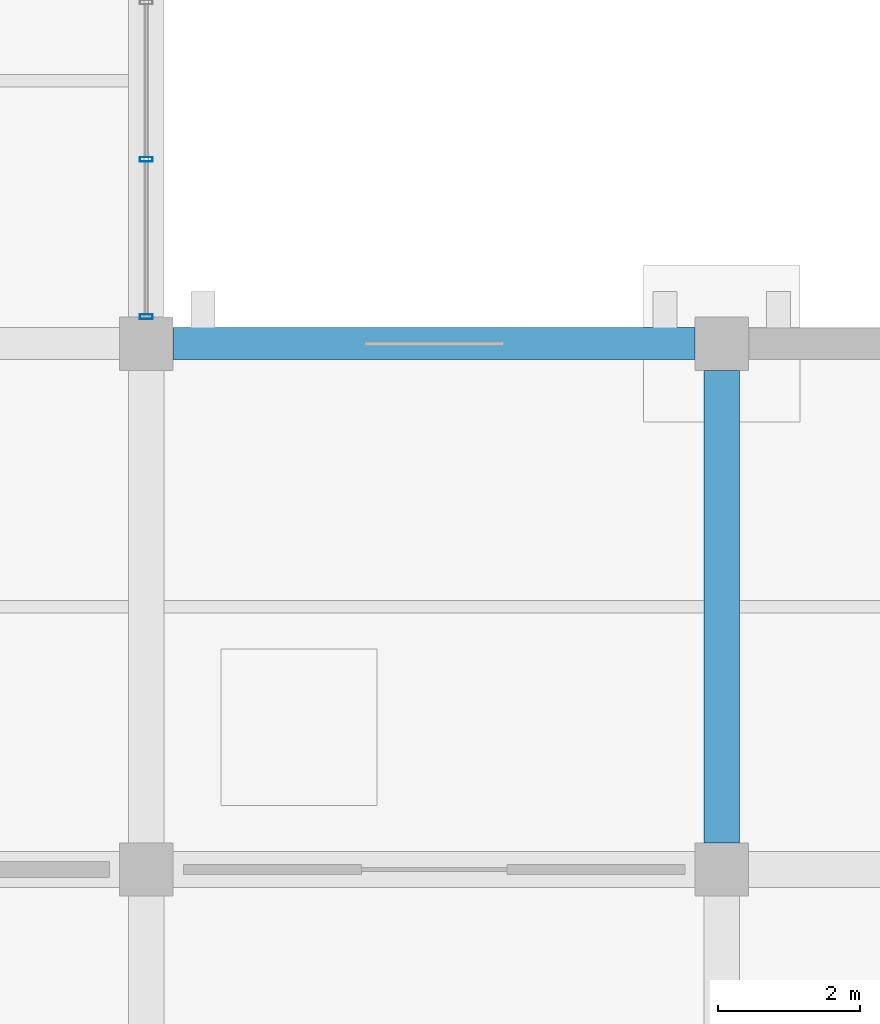
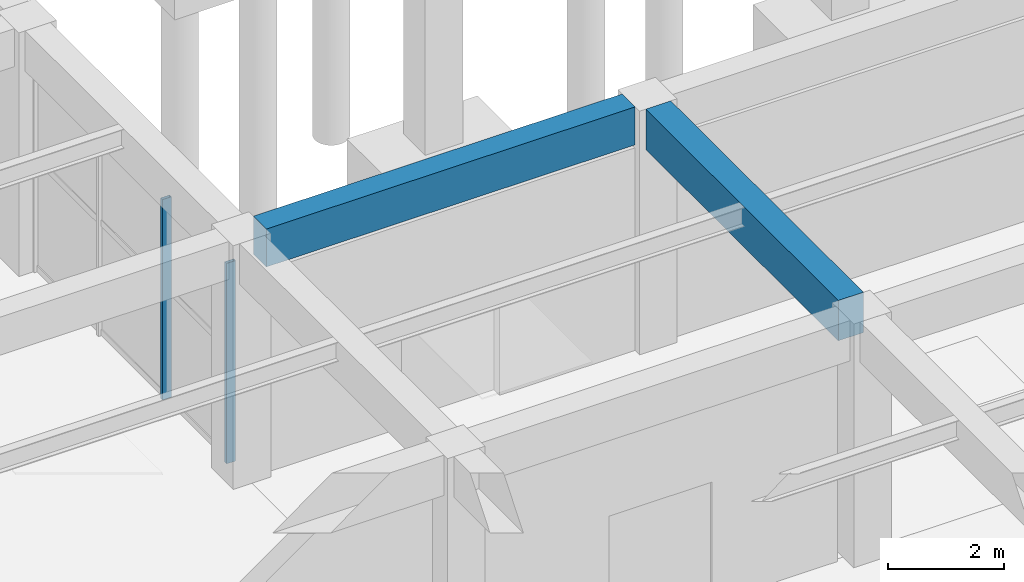
# One storey, part 20 of 140: 2 beams, 2 members, 1 element without a shape of its own.
"""IFC4 building model written with IfcOpenShell, lengths in metres."""

from ifc_helpers import new_model, si_unit, direction, frame, origin, origin_2d, place, context, subcontext, project, spatial, rectangle, hollow_rectangle, extrude, material, material_profile, profile_set, type_object, element, aggregate, save


model = new_model("IFC4")

# Units and contexts
model_context = context("Model", 3, precision=1e-05, world=origin(), true_north=direction((0.0, 1.0)))
body_context = subcontext(model_context, "Body", "Model", "MODEL_VIEW")
ifc_project = project(units=[si_unit("LENGTHUNIT", "METRE"), si_unit("AREAUNIT", "SQUARE_METRE"), si_unit("VOLUMEUNIT", "CUBIC_METRE"), si_unit("PLANEANGLEUNIT", "RADIAN"), si_unit("MASSUNIT", "GRAM", prefix="KILO")], contexts=[model_context])

# Site, building, storey
site_placement = place(None, origin())
site = spatial("IfcSite", under=ifc_project, at=site_placement, CompositionType="ELEMENT")
building_placement = place(site_placement, origin())
building = spatial("IfcBuilding", under=site, at=building_placement, Name="Cimatlan Art Gallery", CompositionType="ELEMENT")
storey_placement = place(building_placement, origin())
storey = spatial("IfcBuildingStorey", under=building, at=storey_placement, Name="L00", CompositionType="ELEMENT", Elevation=0.0)

# Beams
ifc_material_1 = material(Name="Concrete C40/50", Category="concrete")
ifc_material_profile_1 = material_profile(ifc_material_1, rectangle(XDim=0.449951171875, YDim=0.800048828125, at=origin_2d()), Name="RC450X800")
ifc_profile_set_1 = profile_set([ifc_material_profile_1], Name="Concrete C40/50")
beam_type_1 = type_object("IfcBeamType", Name="BM-RC-450X800", PredefinedType="BEAM", material=ifc_profile_set_1)
beam_1_placement = place(storey_placement, frame((50.97509765625, 46.10009765625, 4.735107421875), z_axis=(1.0, 0.0, 0.0), x_axis=(0.0, 1.0, 0.0)))
element("IfcBeam", 1, at=beam_1_placement, inside=storey, type_object=beam_type_1, Name="BM-X-L00-06-06", PredefinedType="BEAM", context=body_context, shape_type="SweptSolid", body=[
    extrude(rectangle(XDim=0.449951171875, YDim=0.800048828125, at=origin_2d()), origin(), (0.0, 0.0, 1.0), 7.349853515625),
])
ifc_material_profile_2 = material_profile(ifc_material_1, rectangle(XDim=0.5, YDim=0.85009765625, at=origin_2d()), Name="RC500X850")
ifc_profile_set_2 = profile_set([ifc_material_profile_2], Name="Concrete C40/50")
beam_type_2 = type_object("IfcBeamType", Name="BM-RC-500X850", PredefinedType="BEAM", material=ifc_profile_set_2)
beam_2_placement = place(storey_placement, frame((58.699951171875, 39.074951171875, 4.7099609375), z_axis=(0.0, 1.0, 0.0), x_axis=(-1.0, 0.0, 0.0)))
element("IfcBeam", 2, at=beam_2_placement, inside=storey, type_object=beam_type_2, Name="BM-Y-L00-07-05", PredefinedType="BEAM", context=body_context, shape_type="SweptSolid", body=[
    extrude(rectangle(XDim=0.5, YDim=0.85009765625, at=origin_2d()), origin(), (0.0, 0.0, 1.0), 6.650146484375),
])

# Curtain wall, members
ifc_material_2 = material(Name="Anodised bronze unitised curtain wall")
curtain_wall_type = type_object("IfcCurtainWallType", Name="CW-V-06642X04225-B3", PredefinedType="NOTDEFINED", material=ifc_material_2)
curtain_wall_placement = place(storey_placement, origin())
curtain_wall = element("IfcCurtainWall", 3, at=curtain_wall_placement, inside=storey, type_object=curtain_wall_type, Name="CW-L00-05-06-E", PredefinedType="NOTDEFINED")
ifc_material_3 = material(Name="Anodised bronze aluminium 6063-T6", Category="aluminium")
ifc_material_profile_3 = material_profile(ifc_material_3, hollow_rectangle(XDim=0.06494140625, YDim=0.179931640625, WallThickness=0.00390625, at=origin_2d()), Name="ALU65X180X4")
ifc_profile_set_3 = profile_set([ifc_material_profile_3], Name="Anodised bronze aluminium 6063-T6")
member_type = type_object("IfcMemberType", Name="CW-MUL-180", PredefinedType="MULLION", material=ifc_profile_set_3)
member_1_placement = place(storey_placement, frame((50.60009765625, 48.693115234375, 0.0), z_axis=(0.0, 0.0, 1.0), x_axis=(0.0, 1.0, 0.0)))
member_1 = element("IfcMember", 4, at=member_1_placement, type_object=member_type, Name="CW-L00-05-06-E-M3", PredefinedType="MULLION", context=body_context, shape_type="SweptSolid", body=[
    extrude(hollow_rectangle(XDim=0.06494140625, YDim=0.179931640625, WallThickness=0.00390625, at=origin_2d()), origin(), (0.0, 0.0, 1.0), 4.22509765625),
])
member_2_placement = place(storey_placement, frame((50.60009765625, 46.47900390625, 0.0), z_axis=(0.0, 0.0, 1.0), x_axis=(0.0, 1.0, 0.0)))
member_2 = element("IfcMember", 5, at=member_2_placement, type_object=member_type, Name="CW-L00-05-06-E-M4", PredefinedType="MULLION", context=body_context, shape_type="SweptSolid", body=[
    extrude(hollow_rectangle(XDim=0.06494140625, YDim=0.179931640625, WallThickness=0.00390625, at=origin_2d()), origin(), (0.0, 0.0, 1.0), 4.22509765625),
])
aggregate(curtain_wall, [member_1, member_2])

save(model, "model.ifc")
